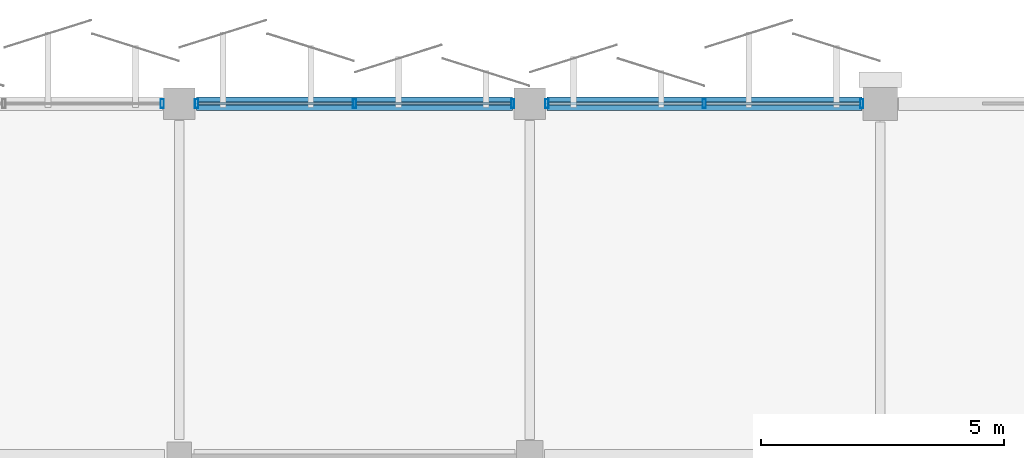
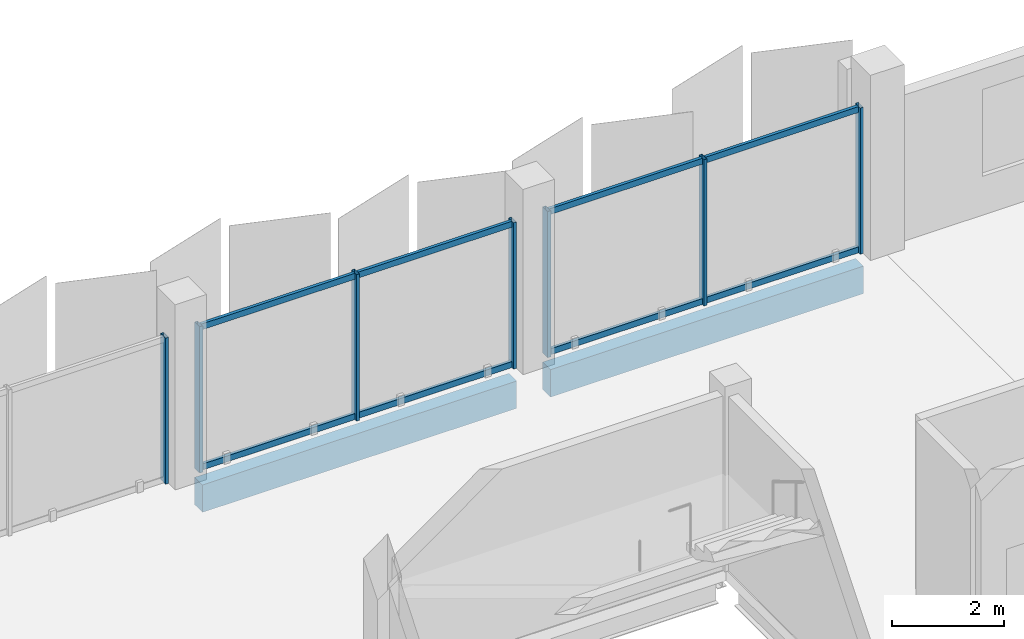
# One storey, part 60 of 108: 15 members, 2 beams, 3 elements without a shape of their own.
"""IFC4 building model written with IfcOpenShell, lengths in metres."""

from ifc_helpers import new_model, si_unit, direction, frame, origin, origin_2d, place, context, subcontext, project, spatial, rectangle, hollow_rectangle, extrude, material, layer, layer_set, material_profile, profile_set, type_object, element, aggregate, save


model = new_model("IFC4")

# Units and contexts
model_context = context("Model", 3, precision=1e-05, world=origin(), true_north=direction((0.0, 1.0)))
body_context = subcontext(model_context, "Body", "Model", "MODEL_VIEW")
ifc_project = project(units=[si_unit("LENGTHUNIT", "METRE"), si_unit("AREAUNIT", "SQUARE_METRE"), si_unit("VOLUMEUNIT", "CUBIC_METRE"), si_unit("PLANEANGLEUNIT", "RADIAN"), si_unit("MASSUNIT", "GRAM", prefix="KILO")], contexts=[model_context])

# Site, building, storey
site_placement = place(None, origin())
site = spatial("IfcSite", under=ifc_project, at=site_placement, CompositionType="ELEMENT")
building_placement = place(site_placement, origin())
building = spatial("IfcBuilding", under=site, at=building_placement, Name="Kangsadwip Square Police Headquarters", CompositionType="ELEMENT")
storey_placement = place(building_placement, frame((0.0, 0.0, 9.449951171875)))
storey = spatial("IfcBuildingStorey", under=building, at=storey_placement, Name="L02", CompositionType="ELEMENT", Elevation=9.449951171875)

# Curtain wall, member
ifc_material_1 = material(Name="Thermally broken anodised aluminium AW-6063-T6", Category="aluminium")
ifc_layer_1 = layer(ifc_material_1, 0.159912109375)
ifc_layer_set_1 = layer_set([ifc_layer_1], Name="Thermally broken anodised aluminium AW-6063-T6")
curtain_wall_type_1 = type_object("IfcCurtainWallType", Name="UnitisedCw6560x3200", PredefinedType="NOTDEFINED", material=ifc_layer_set_1)
curtain_wall_1_placement = place(storey_placement, origin())
curtain_wall_1 = element("IfcCurtainWall", 1, at=curtain_wall_1_placement, inside=storey, type_object=curtain_wall_type_1, Name="Curtain Wall CW-L02-1227-1152", PredefinedType="NOTDEFINED")
ifc_material_2 = material(Name="Thermally broken anodised aluminium AW-6063-T6", Category="aluminium")
ifc_material_profile_1 = material_profile(ifc_material_2, hollow_rectangle(XDim=0.06494140625, YDim=0.179931640625, WallThickness=0.00390625, at=origin_2d()), Name="CWM 180X65X4")
ifc_profile_set_1 = profile_set([ifc_material_profile_1], Name="Thermally broken anodised aluminium AW-6063-T6")
member_type_1 = type_object("IfcMemberType", Name="CwMullion160x65", PredefinedType="MULLION", material=ifc_profile_set_1)
member_1_placement = place(storey_placement, frame((129.24755859375, 115.199951171875, 0.0), z_axis=(0.0, 0.0, 1.0), x_axis=(1.0, 0.0, 0.0)))
member_1 = element("IfcMember", 2, at=member_1_placement, type_object=member_type_1, Name="CW-20 mullion 3", PredefinedType="MULLION", context=body_context, shape_type="SweptSolid", body=[
    extrude(hollow_rectangle(XDim=0.06494140625, YDim=0.179931640625, WallThickness=0.00390625, at=origin_2d()), origin(), (0.0, 0.0, 1.0), 3.199951171875),
])
aggregate(curtain_wall_1, [member_1])

# Curtain wall, members
curtain_wall_2_placement = place(storey_placement, origin())
curtain_wall_2 = element("IfcCurtainWall", 3, at=curtain_wall_2_placement, inside=storey, type_object=curtain_wall_type_1, Name="Curtain Wall CW-L02-1299-1152", PredefinedType="NOTDEFINED")
member_2_placement = place(storey_placement, frame((129.952392578125, 115.199951171875, 0.0), z_axis=(0.0, 0.0, 1.0), x_axis=(1.0, 0.0, 0.0)))
member_2 = element("IfcMember", 4, at=member_2_placement, type_object=member_type_1, Name="CW-20 mullion 1", PredefinedType="MULLION", context=body_context, shape_type="SweptSolid", body=[
    extrude(hollow_rectangle(XDim=0.06494140625, YDim=0.179931640625, WallThickness=0.00390625, at=origin_2d()), origin(), (0.0, 0.0, 1.0), 3.199951171875),
])
member_3_placement = place(storey_placement, frame((133.199951171875, 115.199951171875, 0.0), z_axis=(0.0, 0.0, 1.0), x_axis=(1.0, 0.0, 0.0)))
member_3 = element("IfcMember", 5, at=member_3_placement, type_object=member_type_1, Name="CW-20 mullion 2", PredefinedType="MULLION", context=body_context, shape_type="SweptSolid", body=[
    extrude(hollow_rectangle(XDim=0.06494140625, YDim=0.179931640625, WallThickness=0.00390625, at=origin_2d()), origin(), (0.0, 0.0, 1.0), 3.199951171875),
])
member_4_placement = place(storey_placement, frame((136.447509765625, 115.199951171875, 0.0), z_axis=(0.0, 0.0, 1.0), x_axis=(1.0, 0.0, 0.0)))
member_4 = element("IfcMember", 6, at=member_4_placement, type_object=member_type_1, Name="CW-20 mullion 3", PredefinedType="MULLION", context=body_context, shape_type="SweptSolid", body=[
    extrude(hollow_rectangle(XDim=0.06494140625, YDim=0.179931640625, WallThickness=0.00390625, at=origin_2d()), origin(), (0.0, 0.0, 1.0), 3.199951171875),
])

ifc_material_3 = material(Name="Thermally broken anodised aluminium AW-6063-T6", Category="aluminium")
ifc_layer_2 = layer(ifc_material_3, 0.159912109375)
ifc_layer_set_2 = layer_set([ifc_layer_2], Name="Thermally broken anodised aluminium AW-6063-T6")
curtain_wall_type_2 = type_object("IfcCurtainWallType", Name="UnitisedCw6535x3200", PredefinedType="NOTDEFINED", material=ifc_layer_set_2)
curtain_wall_3_placement = place(storey_placement, origin())
curtain_wall_3 = element("IfcCurtainWall", 7, at=curtain_wall_3_placement, inside=storey, type_object=curtain_wall_type_2, Name="Curtain Wall CW-L02-1371-1152", PredefinedType="NOTDEFINED")
member_5_placement = place(storey_placement, frame((137.152587890625, 115.199951171875, 0.0), z_axis=(0.0, 0.0, 1.0), x_axis=(1.0, 0.0, 0.0)))
member_5 = element("IfcMember", 8, at=member_5_placement, type_object=member_type_1, Name="CW-34 mullion 1", PredefinedType="MULLION", context=body_context, shape_type="SweptSolid", body=[
    extrude(hollow_rectangle(XDim=0.06494140625, YDim=0.179931640625, WallThickness=0.00390625, at=origin_2d()), origin(), (0.0, 0.0, 1.0), 3.199951171875),
])
member_6_placement = place(storey_placement, frame((140.387451171875, 115.199951171875, 0.0), z_axis=(0.0, 0.0, 1.0), x_axis=(1.0, 0.0, 0.0)))
member_6 = element("IfcMember", 9, at=member_6_placement, type_object=member_type_1, Name="CW-34 mullion 2", PredefinedType="MULLION", context=body_context, shape_type="SweptSolid", body=[
    extrude(hollow_rectangle(XDim=0.06494140625, YDim=0.179931640625, WallThickness=0.00390625, at=origin_2d()), origin(), (0.0, 0.0, 1.0), 3.199951171875),
])
member_7_placement = place(storey_placement, frame((143.62255859375, 115.199951171875, 0.0), z_axis=(0.0, 0.0, 1.0), x_axis=(1.0, 0.0, 0.0)))
member_7 = element("IfcMember", 10, at=member_7_placement, type_object=member_type_1, Name="CW-34 mullion 3", PredefinedType="MULLION", context=body_context, shape_type="SweptSolid", body=[
    extrude(hollow_rectangle(XDim=0.06494140625, YDim=0.179931640625, WallThickness=0.00390625, at=origin_2d()), origin(), (0.0, 0.0, 1.0), 3.199951171875),
])

# Member
ifc_material_4 = material(Name="Thermally broken anodised aluminium AW-6063-T6", Category="aluminium")
ifc_material_profile_2 = material_profile(ifc_material_4, hollow_rectangle(XDim=0.06494140625, YDim=0.1298828125, WallThickness=0.00390625, at=origin_2d()), Name="CWT 130X65X4")
ifc_profile_set_2 = profile_set([ifc_material_profile_2], Name="Thermally broken anodised aluminium AW-6063-T6")
member_type_2 = type_object("IfcMemberType", Name="CwTransom140x60", PredefinedType="USERDEFINED", material=ifc_profile_set_2)
member_8_placement = place(storey_placement, frame((129.985107421875, 115.199951171875, 0.06494140625), z_axis=(1.0, 0.0, 0.0), x_axis=(0.0, 1.0, 0.0)))
member_8 = element("IfcMember", 11, at=member_8_placement, type_object=member_type_2, Name="CW-20 transom 1.1", ObjectType="TRANSOM", PredefinedType="USERDEFINED", context=body_context, shape_type="SweptSolid", body=[
    extrude(hollow_rectangle(XDim=0.06494140625, YDim=0.1298828125, WallThickness=0.00390625, at=origin_2d()), origin(), (0.0, 0.0, 1.0), 3.182373046875),
])

member_9_placement = place(storey_placement, frame((129.985107421875, 115.199951171875, 3.135009765625), z_axis=(1.0, 0.0, 0.0), x_axis=(0.0, 1.0, 0.0)))
member_9 = element("IfcMember", 12, at=member_9_placement, type_object=member_type_2, Name="CW-20 transom 1.2", ObjectType="TRANSOM", PredefinedType="USERDEFINED", context=body_context, shape_type="SweptSolid", body=[
    extrude(hollow_rectangle(XDim=0.06494140625, YDim=0.1298828125, WallThickness=0.00390625, at=origin_2d()), origin(), (0.0, 0.0, 1.0), 3.182373046875),
])

member_10_placement = place(storey_placement, frame((133.232421875, 115.199951171875, 0.06494140625), z_axis=(1.0, 0.0, 0.0), x_axis=(0.0, 1.0, 0.0)))
member_10 = element("IfcMember", 13, at=member_10_placement, type_object=member_type_2, Name="CW-20 transom 2.1", ObjectType="TRANSOM", PredefinedType="USERDEFINED", context=body_context, shape_type="SweptSolid", body=[
    extrude(hollow_rectangle(XDim=0.06494140625, YDim=0.1298828125, WallThickness=0.00390625, at=origin_2d()), origin(), (0.0, 0.0, 1.0), 3.1826171875),
])

member_11_placement = place(storey_placement, frame((133.232421875, 115.199951171875, 3.135009765625), z_axis=(1.0, 0.0, 0.0), x_axis=(0.0, 1.0, 0.0)))
member_11 = element("IfcMember", 14, at=member_11_placement, type_object=member_type_2, Name="CW-20 transom 2.2", ObjectType="TRANSOM", PredefinedType="USERDEFINED", context=body_context, shape_type="SweptSolid", body=[
    extrude(hollow_rectangle(XDim=0.06494140625, YDim=0.1298828125, WallThickness=0.00390625, at=origin_2d()), origin(), (0.0, 0.0, 1.0), 3.1826171875),
])

aggregate(curtain_wall_2, [member_2, member_3, member_4, member_8, member_9, member_10, member_11])

member_12_placement = place(storey_placement, frame((137.18505859375, 115.199951171875, 0.06494140625), z_axis=(1.0, 0.0, 0.0), x_axis=(0.0, 1.0, 0.0)))
member_12 = element("IfcMember", 15, at=member_12_placement, type_object=member_type_2, Name="CW-34 transom 1.1", ObjectType="TRANSOM", PredefinedType="USERDEFINED", context=body_context, shape_type="SweptSolid", body=[
    extrude(hollow_rectangle(XDim=0.06494140625, YDim=0.1298828125, WallThickness=0.00390625, at=origin_2d()), origin(), (0.0, 0.0, 1.0), 3.169921875),
])

member_13_placement = place(storey_placement, frame((137.18505859375, 115.199951171875, 3.135009765625), z_axis=(1.0, 0.0, 0.0), x_axis=(0.0, 1.0, 0.0)))
member_13 = element("IfcMember", 16, at=member_13_placement, type_object=member_type_2, Name="CW-34 transom 1.2", ObjectType="TRANSOM", PredefinedType="USERDEFINED", context=body_context, shape_type="SweptSolid", body=[
    extrude(hollow_rectangle(XDim=0.06494140625, YDim=0.1298828125, WallThickness=0.00390625, at=origin_2d()), origin(), (0.0, 0.0, 1.0), 3.169921875),
])

member_14_placement = place(storey_placement, frame((140.419921875, 115.199951171875, 0.06494140625), z_axis=(1.0, 0.0, 0.0), x_axis=(0.0, 1.0, 0.0)))
member_14 = element("IfcMember", 17, at=member_14_placement, type_object=member_type_2, Name="CW-34 transom 2.1", ObjectType="TRANSOM", PredefinedType="USERDEFINED", context=body_context, shape_type="SweptSolid", body=[
    extrude(hollow_rectangle(XDim=0.06494140625, YDim=0.1298828125, WallThickness=0.00390625, at=origin_2d()), origin(), (0.0, 0.0, 1.0), 3.170166015625),
])

member_15_placement = place(storey_placement, frame((140.419921875, 115.199951171875, 3.135009765625), z_axis=(1.0, 0.0, 0.0), x_axis=(0.0, 1.0, 0.0)))
member_15 = element("IfcMember", 18, at=member_15_placement, type_object=member_type_2, Name="CW-34 transom 2.2", ObjectType="TRANSOM", PredefinedType="USERDEFINED", context=body_context, shape_type="SweptSolid", body=[
    extrude(hollow_rectangle(XDim=0.06494140625, YDim=0.1298828125, WallThickness=0.00390625, at=origin_2d()), origin(), (0.0, 0.0, 1.0), 3.170166015625),
])

aggregate(curtain_wall_3, [member_5, member_6, member_7, member_12, member_13, member_14, member_15])

# Beams
ifc_material_5 = material(Name="Concrete M40 (40 MPa)", Category="concrete")
ifc_material_profile_3 = material_profile(ifc_material_5, rectangle(XDim=0.280029296875, YDim=0.60009765625, at=origin_2d()), Name="RC SPN 600X280")
ifc_profile_set_3 = profile_set([ifc_material_profile_3], Name="Concrete M40 (40 MPa)")
beam_type = type_object("IfcBeamType", Name="RcSpandrel600x280", PredefinedType="SPANDREL", material=ifc_profile_set_3)
beam_1_placement = place(storey_placement, frame((129.949951171875, 115.199951171875, -0.5400390625), z_axis=(1.0, 0.0, 0.0), x_axis=(0.0, 1.0, 0.0)))
element("IfcBeam", 19, at=beam_1_placement, inside=storey, type_object=beam_type, Name="Beam BM-L02-X-18-16", PredefinedType="SPANDREL", context=body_context, shape_type="SweptSolid", body=[
    extrude(rectangle(XDim=0.280029296875, YDim=0.60009765625, at=origin_2d()), origin(), (0.0, 0.0, 1.0), 6.5),
])
beam_2_placement = place(storey_placement, frame((137.14990234375, 115.199951171875, -0.5400390625), z_axis=(1.0, 0.0, 0.0), x_axis=(0.0, 1.0, 0.0)))
element("IfcBeam", 20, at=beam_2_placement, inside=storey, type_object=beam_type, Name="Beam BM-L02-X-19-16", PredefinedType="SPANDREL", context=body_context, shape_type="SweptSolid", body=[
    extrude(rectangle(XDim=0.280029296875, YDim=0.60009765625, at=origin_2d()), origin(), (0.0, 0.0, 1.0), 6.47509765625),
])

save(model, "model.ifc")
